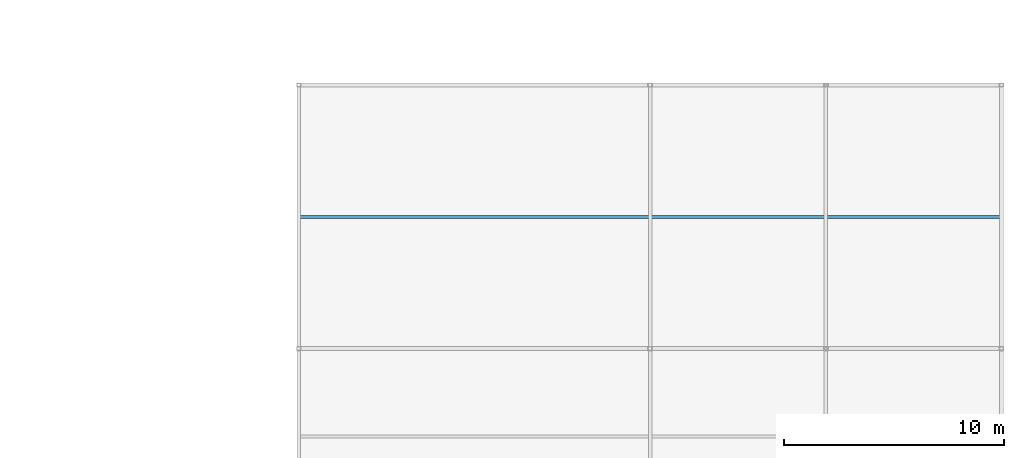
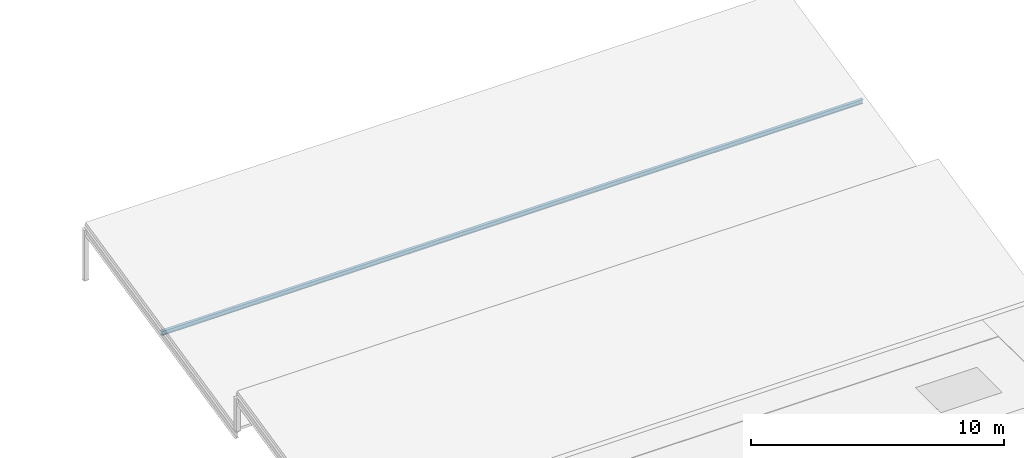
# One storey, part 15 of 31: 1 member.
"""IFC4 building model written with IfcOpenShell, lengths in metres."""

from ifc_helpers import new_model, si_unit, direction, frame, origin, origin_2d, place, context, subcontext, project, spatial, i_section, extrude, material, material_profile, profile_set, type_object, element, save


model = new_model("IFC4")

# Units and contexts
model_context = context("Model", 3, precision=1e-05, world=origin(), true_north=direction((0.0, 1.0)))
body_context = subcontext(model_context, "Body", "Model", "MODEL_VIEW")
ifc_project = project(units=[si_unit("LENGTHUNIT", "METRE"), si_unit("AREAUNIT", "SQUARE_METRE"), si_unit("VOLUMEUNIT", "CUBIC_METRE"), si_unit("PLANEANGLEUNIT", "RADIAN"), si_unit("MASSUNIT", "GRAM", prefix="KILO")], contexts=[model_context])

# Site, building, storey
site_placement = place(None, origin())
site = spatial("IfcSite", under=ifc_project, at=site_placement, CompositionType="ELEMENT")
building_placement = place(site_placement, origin())
building = spatial("IfcBuilding", under=site, at=building_placement, Name="Celadon Cloister-Ring School", CompositionType="ELEMENT")
storey_placement = place(building_placement, frame((0.0, 0.0, 16.5)))
storey = spatial("IfcBuildingStorey", under=building, at=storey_placement, Name="L04", CompositionType="ELEMENT", Elevation=16.5)

# Member
ifc_material = material(Name="Structural steel S355JR", Category="steel")
ifc_material_profile = material_profile(ifc_material, i_section(OverallWidth=0.133056640625, OverallDepth=0.20703125, WebThickness=0.005859375, FlangeThickness=0.00830078125, at=origin_2d()), Name="W200X27")
ifc_profile_set = profile_set([ifc_material_profile], Name="Structural steel S355JR")
member_type = type_object("IfcMemberType", Name="MP-04", PredefinedType="PURLIN", material=ifc_profile_set)
member_placement = place(storey_placement, frame((142.0, 54.0, 0.945068359375), z_axis=(1.0, 0.0, 0.0), x_axis=(0.0, 1.0, 0.0)))
element("IfcMember", 1, at=member_placement, inside=storey, type_object=member_type, Name="Structural Member 0607", PredefinedType="PURLIN", context=body_context, shape_type="SweptSolid", body=[
    extrude(i_section(OverallWidth=0.133056640625, OverallDepth=0.20703125, WebThickness=0.005859375, FlangeThickness=0.00830078125, at=origin_2d()), origin(), (0.0, 0.0, 1.0), 32.0),
])

save(model, "model.ifc")
